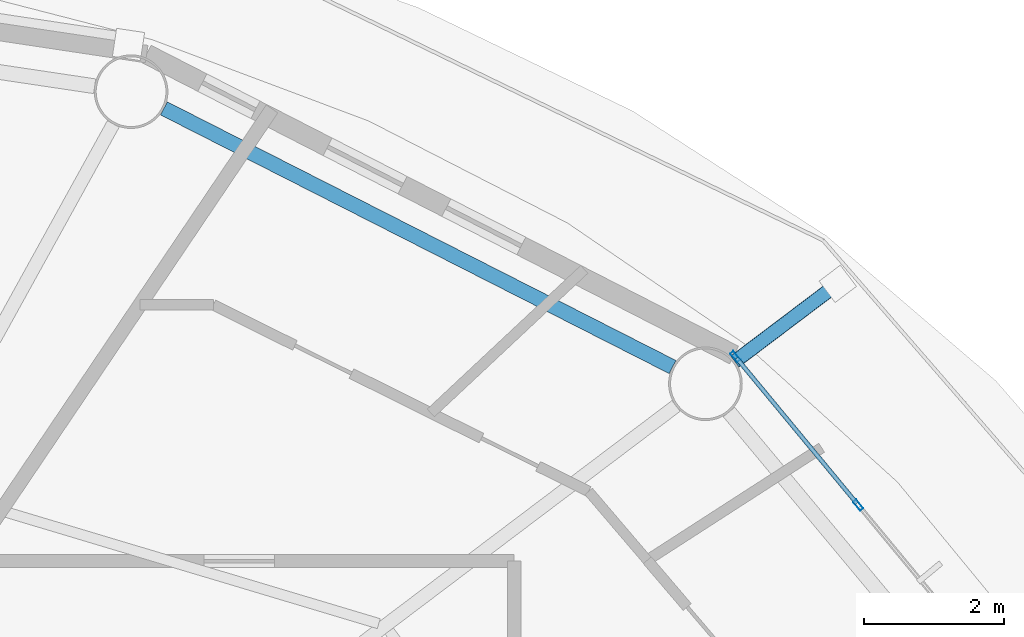
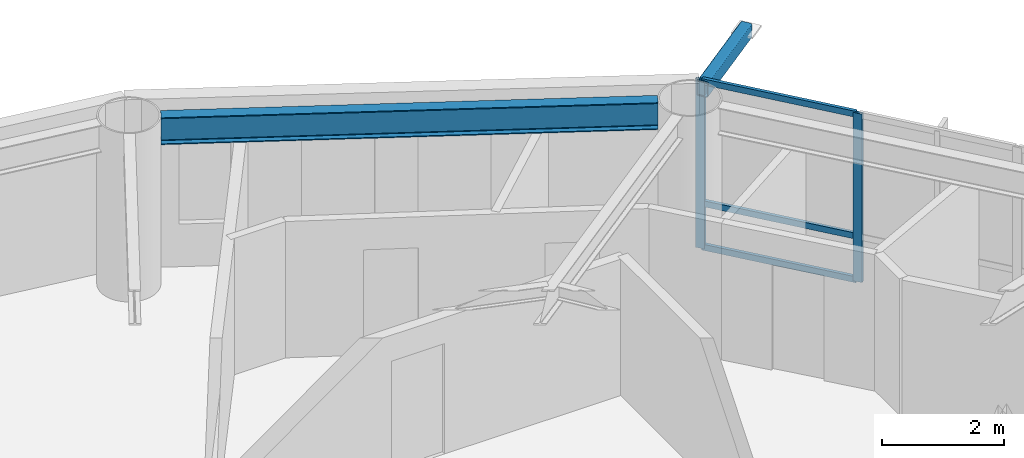
# One storey, part 11 of 23: 6 members, 1 beam, 1 element without a shape of its own.
"""IFC4 building model written with IfcOpenShell, lengths in metres."""

import ifcopenshell
import ifcopenshell.guid

model = None  # the IFC model being written
_history = None  # IfcOwnerHistory: only IFC2X3 demands one
_inside = {}  # id of a spatial element -> (the spatial element, [elements in it])
_under = {}  # id of a project, library or spatial element -> (it, [spatial elements below it])
_declared = {}  # id of a project -> (the project, [libraries it declares])
_typed = {}  # id of a type object -> (the type object, [elements of that type])
_made_of = {}  # id of a material, layer set ... -> (it, [elements and type objects made of it])


def new_model(schema):
    """Start an empty IFC model of exactly this schema.

    Asked for "IFC4X3", IfcOpenShell would pick the latest addendum, in which some entities
    have other attributes; the version numbers below select the first issue.
    IFC2X3 requires an IfcOwnerHistory on every rooted entity: one is made here for all.
    """
    global model, _history
    if schema == "IFC4X3":
        model = ifcopenshell.file(schema_version=(4, 3, 0, 0))
    else:
        model = ifcopenshell.file(schema=schema)
    _inside.clear()
    _under.clear()
    _declared.clear()
    _typed.clear()
    _made_of.clear()
    _history = None
    if model.schema == "IFC2X3":
        org = make("IfcOrganization", Name="unknown")
        user = make(
            "IfcPersonAndOrganization",
            ThePerson=make("IfcPerson", FamilyName="unknown"),
            TheOrganization=org,
        )
        app = make(
            "IfcApplication",
            ApplicationDeveloper=org,
            Version="unknown",
            ApplicationFullName="unknown",
            ApplicationIdentifier="unknown",
        )
        _history = make(
            "IfcOwnerHistory",
            OwningUser=user,
            OwningApplication=app,
            ChangeAction="ADDED",
            CreationDate=0,
        )
    return model


def make(cls, **values):
    """One entity of the class cls with the attributes given. An attribute that is None is left unset."""
    return model.create_entity(
        cls, **{name: value for name, value in values.items() if value is not None}
    )


def rooted(cls, **values):
    """An entity with a GlobalId (a new one), such as an element, a storey or a relation."""
    return make(cls, GlobalId=ifcopenshell.guid.new(), OwnerHistory=_history, **values)


def si_unit(unit_type, name, prefix=None):
    """IfcSIUnit, for example si_unit("LENGTHUNIT", "METRE", prefix="MILLI")."""
    return make("IfcSIUnit", UnitType=unit_type, Prefix=prefix, Name=name)


def assignment(units):
    """IfcUnitAssignment: the units of a project."""
    return None if units is None else make("IfcUnitAssignment", Units=units)


def point(xyz):
    """IfcCartesianPoint."""
    return None if xyz is None else make("IfcCartesianPoint", Coordinates=xyz)


def direction(xyz):
    """IfcDirection."""
    return None if xyz is None else make("IfcDirection", DirectionRatios=xyz)


def frame(location, z_axis=None, x_axis=None):
    """IfcAxis2Placement3D, a coordinate frame: its origin and axes. An axis left out is left unset."""
    return make(
        "IfcAxis2Placement3D",
        Location=point(location),
        Axis=direction(z_axis),
        RefDirection=direction(x_axis),
    )


def frame_2d(location, x_axis=None):
    """IfcAxis2Placement2D, a coordinate frame in the plane: its origin and x axis."""
    return make(
        "IfcAxis2Placement2D", Location=point(location), RefDirection=direction(x_axis)
    )


def origin():
    """The frame at (0, 0, 0) with its axes left unset."""
    return frame((0.0, 0.0, 0.0))


def origin_2d():
    """The frame at (0, 0) in the plane with its x axis left unset."""
    return frame_2d((0.0, 0.0))


def place(relative_to, where):
    """IfcLocalPlacement: puts the frame where relative to a parent placement (None: the world)."""
    return make(
        "IfcLocalPlacement", PlacementRelTo=relative_to, RelativePlacement=where
    )


def context(
    kind, dimensions, precision=None, world=None, true_north=None, identifier=None
):
    """IfcGeometricRepresentationContext, for example the 3D "Model" context."""
    return make(
        "IfcGeometricRepresentationContext",
        ContextIdentifier=identifier,
        ContextType=kind,
        CoordinateSpaceDimension=dimensions,
        Precision=precision,
        WorldCoordinateSystem=world,
        TrueNorth=true_north,
    )


def subcontext(parent, identifier, kind, view, scale=None):
    """IfcGeometricRepresentationSubContext, for example "Body" below "Model"."""
    return make(
        "IfcGeometricRepresentationSubContext",
        ContextIdentifier=identifier,
        ContextType=kind,
        ParentContext=parent,
        TargetScale=scale,
        TargetView=view,
    )


def project(units=None, contexts=None):
    """IfcProject with its units and contexts."""
    return rooted(
        "IfcProject",
        Name="project",
        RepresentationContexts=contexts,
        UnitsInContext=assignment(units),
    )


def spatial(cls, under=None, at=None, **own):
    """A site, building, storey or space (cls), placed at a placement, below another one or the project."""
    s = rooted(cls, ObjectPlacement=at, **own)
    if under is not None:
        _under.setdefault(under.id(), (under, []))[1].append(s)
    return s


def profile(cls, at=None, kind="AREA", **sizes):
    """A parametric profile (cls). Its sizes go by their IFC names, for example OverallWidth=200.0."""
    return make(cls, ProfileType=kind, Position=at, **sizes)


def hollow_rectangle(**sizes):
    """IfcRectangleHollowProfileDef."""
    return profile("IfcRectangleHollowProfileDef", **sizes)


def i_section(**sizes):
    """IfcIShapeProfileDef."""
    return profile("IfcIShapeProfileDef", **sizes)


def extrude(swept, where, along, depth):
    """IfcExtrudedAreaSolid: the profile swept, set in the frame where, extruded along a direction by depth."""
    return make(
        "IfcExtrudedAreaSolid",
        SweptArea=swept,
        Position=where,
        ExtrudedDirection=direction(along),
        Depth=depth,
    )


def shape(context_of_items, identifier, shape_type, items):
    """IfcShapeRepresentation: the items that make up one representation, for example the "Body"."""
    return make(
        "IfcShapeRepresentation",
        ContextOfItems=context_of_items,
        RepresentationIdentifier=identifier,
        RepresentationType=shape_type,
        Items=items,
    )


def material(Name=None, Category=None):
    """IfcMaterial."""
    return make("IfcMaterial", Name=Name, Category=Category)


def layer(
    of_material, thickness, ventilated=None, Name=None, Category=None, Priority=None
):
    """IfcMaterialLayer: one layer of a wall or slab, of a material (None: an air gap)."""
    return make(
        "IfcMaterialLayer",
        Material=of_material,
        LayerThickness=thickness,
        IsVentilated=ventilated,
        Name=Name,
        Category=Category,
        Priority=Priority,
    )


def layer_set(layers, Name=None):
    """IfcMaterialLayerSet."""
    return make("IfcMaterialLayerSet", MaterialLayers=layers, LayerSetName=Name)


def material_profile(
    of_material, cross_section, Name=None, Category=None, Priority=None
):
    """IfcMaterialProfile: a cross section and its material."""
    return make(
        "IfcMaterialProfile",
        Name=Name,
        Material=of_material,
        Profile=cross_section,
        Priority=Priority,
        Category=Category,
    )


def profile_set(profiles, Name=None, composite=None):
    """IfcMaterialProfileSet."""
    return make(
        "IfcMaterialProfileSet",
        Name=Name,
        MaterialProfiles=profiles,
        CompositeProfile=composite,
    )


def made_of(thing, what):
    """Note that an element or type object is made of a material, layer set ...; save() writes the relation."""
    if what is not None:
        _made_of.setdefault(what.id(), (what, []))[1].append(thing)
    return thing


def type_object(cls, material=None, **own):
    """A type object (cls), such as IfcWallType, which elements share."""
    return made_of(rooted(cls, **own), material)


def element(
    cls,
    number,
    at=None,
    inside=None,
    cuts=None,
    type_object=None,
    material=None,
    context=None,
    identifier="Body",
    shape_type=None,
    held_by="IfcProductDefinitionShape",
    body=None,
    shapes=None,
    **own,
):
    """One element of the class cls, such as IfcWall. Its Tag is "e" and its number.

    at: its placement. inside: the storey or other place that contains it. cuts: it is an
    opening in that element (IfcRelVoidsElement). A single representation is given by context,
    identifier, shape_type and body (its items); several are given by shapes. held_by: the class
    of the entity that holds the representations. save() writes the other relations.
    """
    e = rooted(cls, Tag="e%d" % number, ObjectPlacement=at, **own)
    if body is not None:
        shapes = [shape(context, identifier, shape_type, body)]
    if shapes is not None:
        e.Representation = make(held_by, Representations=shapes)
    if inside is not None:
        _inside.setdefault(inside.id(), (inside, []))[1].append(e)
    if cuts is not None:
        rooted(
            "IfcRelVoidsElement", RelatingBuildingElement=cuts, RelatedOpeningElement=e
        )
    if type_object is not None:
        _typed.setdefault(type_object.id(), (type_object, []))[1].append(e)
    return made_of(e, material)


def aggregate(whole, parts):
    """IfcRelAggregates: a whole, such as a stair, and the parts it consists of."""
    return rooted("IfcRelAggregates", RelatingObject=whole, RelatedObjects=parts)


def save(model, path):
    """Write the relations noted so far, then the file.

    IfcRelAggregates (storeys below a building ...), IfcRelContainedInSpatialStructure (elements
    in a storey), IfcRelDefinesByType, IfcRelAssociatesMaterial and IfcRelDeclares: one each for
    every whole, place, type object, material and project.
    """
    for whole, parts in _under.values():
        aggregate(whole, parts)
    for where, things in _inside.values():
        rooted(
            "IfcRelContainedInSpatialStructure",
            RelatedElements=things,
            RelatingStructure=where,
        )
    for kind, things in _typed.values():
        rooted("IfcRelDefinesByType", RelatedObjects=things, RelatingType=kind)
    for what, things in _made_of.values():
        rooted("IfcRelAssociatesMaterial", RelatedObjects=things, RelatingMaterial=what)
    for by, libraries in _declared.values():
        rooted("IfcRelDeclares", RelatingContext=by, RelatedDefinitions=libraries)
    model.write(path)


model = new_model("IFC4")

# Units and contexts
model_context = context("Model", 3, precision=1e-05, world=origin(), true_north=direction((0.0, 1.0)))
body_context = subcontext(model_context, "Body", "Model", "MODEL_VIEW")
ifc_project = project(units=[si_unit("LENGTHUNIT", "METRE"), si_unit("AREAUNIT", "SQUARE_METRE"), si_unit("VOLUMEUNIT", "CUBIC_METRE"), si_unit("PLANEANGLEUNIT", "RADIAN"), si_unit("MASSUNIT", "GRAM", prefix="KILO")], contexts=[model_context])

# Site, building, storey
site_placement = place(None, origin())
site = spatial("IfcSite", under=ifc_project, at=site_placement, CompositionType="ELEMENT")
building_placement = place(site_placement, origin())
building = spatial("IfcBuilding", under=site, at=building_placement, Name="Sarneth Arch Tower", CompositionType="ELEMENT")
storey_placement = place(building_placement, frame((0.0, 0.0, 235.199951171875)))
storey = spatial("IfcBuildingStorey", under=building, at=storey_placement, Name="L60", CompositionType="ELEMENT", Elevation=235.199951171875)

# Beam
ifc_material_1 = material(Name="Steel S355", Category="steel")
ifc_material_profile_1 = material_profile(ifc_material_1, i_section(OverallWidth=0.2109375, OverallDepth=0.5390625, WebThickness=0.01171875, FlangeThickness=0.018798828125, FilletRadius=0.01806640625, at=origin_2d()), Name="W530x109")
ifc_profile_set_1 = profile_set([ifc_material_profile_1], Name="Steel S355")
beam_type = type_object("IfcBeamType", Name="BM-RAD-530B", PredefinedType="BEAM", material=ifc_profile_set_1)
beam_placement = place(storey_placement, frame((65.50732421875, 55.814453125, 3.090576171875), z_axis=(-0.891368271482, 0.453279830342, 0.0), x_axis=(-0.453279830342, -0.891368271482, 0.0)))
element("IfcBeam", 1, at=beam_placement, inside=storey, type_object=beam_type, Name="L60 Perimeter spandrel beam 03", PredefinedType="BEAM", context=body_context, shape_type="SweptSolid", body=[
    extrude(i_section(OverallWidth=0.2109375, OverallDepth=0.5390625, WebThickness=0.01171875, FlangeThickness=0.018798828125, FilletRadius=0.01806640625, at=origin_2d()), origin(), (0.0, 0.0, 1.0), 8.1318359375),
])

# Curtain wall, members
ifc_material_2 = material(Name="Anodised aluminium Type AA25 and solar-control low-e laminated IGU", Category="aluminium")
ifc_layer = layer(ifc_material_2, 0.179931640625)
ifc_layer_set = layer_set([ifc_layer], Name="Anodised aluminium Type AA25 and solar-control low-e laminated IGU")
curtain_wall_type = type_object("IfcCurtainWallType", Name="CW-RES-HIGH", PredefinedType="NOTDEFINED", material=ifc_layer_set)
curtain_wall_placement = place(storey_placement, origin())
curtain_wall = element("IfcCurtainWall", 2, at=curtain_wall_placement, inside=storey, type_object=curtain_wall_type, Name="L60 Unitised curtain wall facet 02", PredefinedType="NOTDEFINED")
ifc_material_3 = material(Name="Anodised Aluminium 6063-T6", Category="aluminium")
ifc_material_profile_2 = material_profile(ifc_material_3, hollow_rectangle(XDim=0.06005859375, YDim=0.159912109375, WallThickness=0.00390625, at=origin_2d()), Name="AL-MULL-160x60x4")
ifc_profile_set_2 = profile_set([ifc_material_profile_2], Name="Anodised Aluminium 6063-T6")
member_type_1 = type_object("IfcMemberType", Name="CW-MULLION", PredefinedType="MULLION", material=ifc_profile_set_2)
member_1_placement = place(storey_placement, frame((68.15283203125, 53.84765625, 0.0), z_axis=(0.0, 0.0, 1.0), x_axis=(-0.770359245933, -0.637610094184, 0.0)))
member_1 = element("IfcMember", 3, at=member_1_placement, type_object=member_type_1, Name="CW-SYS-6 mullion 3", PredefinedType="MULLION", context=body_context, shape_type="SweptSolid", body=[
    extrude(hollow_rectangle(XDim=0.06005859375, YDim=0.159912109375, WallThickness=0.00390625, at=origin_2d()), origin(), (0.0, 0.0, 1.0), 3.360107421875),
])
member_2_placement = place(storey_placement, frame((66.401611328125, 55.96337890625, 0.0), z_axis=(0.0, 0.0, 1.0), x_axis=(-0.770359245933, -0.637610094184, 0.0)))
member_2 = element("IfcMember", 4, at=member_2_placement, type_object=member_type_1, Name="CW-SYS-6 mullion 4", PredefinedType="MULLION", context=body_context, shape_type="SweptSolid", body=[
    extrude(hollow_rectangle(XDim=0.06005859375, YDim=0.159912109375, WallThickness=0.00390625, at=origin_2d()), origin(), (0.0, 0.0, 1.0), 3.360107421875),
])
ifc_material_4 = material(Name="Anodised Aluminium 6063-T6", Category="aluminium")
ifc_material_profile_3 = material_profile(ifc_material_4, hollow_rectangle(XDim=0.06005859375, YDim=0.1201171875, WallThickness=0.00390625, at=origin_2d()), Name="AL-TRAN-120x60x4")
ifc_profile_set_3 = profile_set([ifc_material_profile_3], Name="Anodised Aluminium 6063-T6")
member_type_2 = type_object("IfcMemberType", Name="CW-TRANSOM", PredefinedType="USERDEFINED", material=ifc_profile_set_3)
member_3_placement = place(storey_placement, frame((68.1337890625, 53.87060546875, 0.030029296875), z_axis=(-0.637606765719, 0.770362000821, 0.0), x_axis=(-0.770362000821, -0.637606765719, 0.0)))
member_3 = element("IfcMember", 5, at=member_3_placement, type_object=member_type_2, Name="CW-SYS-6 transom 3.1", ObjectType="TRANSOM", PredefinedType="USERDEFINED", context=body_context, shape_type="SweptSolid", body=[
    extrude(hollow_rectangle(XDim=0.06005859375, YDim=0.1201171875, WallThickness=0.00390625, at=origin_2d()), origin(), (0.0, 0.0, 1.0), 2.686767578125),
])
member_4_placement = place(storey_placement, frame((68.1337890625, 53.87060546875, 0.900146484375), z_axis=(-0.637606765719, 0.770362000821, 0.0), x_axis=(-0.770362000821, -0.637606765719, 0.0)))
member_4 = element("IfcMember", 6, at=member_4_placement, type_object=member_type_2, Name="CW-SYS-6 transom 3.2", ObjectType="TRANSOM", PredefinedType="USERDEFINED", context=body_context, shape_type="SweptSolid", body=[
    extrude(hollow_rectangle(XDim=0.06005859375, YDim=0.1201171875, WallThickness=0.00390625, at=origin_2d()), origin(), (0.0, 0.0, 1.0), 2.686767578125),
])
member_5_placement = place(storey_placement, frame((68.1337890625, 53.87060546875, 3.330078125), z_axis=(-0.637606765719, 0.770362000821, 0.0), x_axis=(-0.770362000821, -0.637606765719, 0.0)))
member_5 = element("IfcMember", 7, at=member_5_placement, type_object=member_type_2, Name="CW-SYS-6 transom 3.3", ObjectType="TRANSOM", PredefinedType="USERDEFINED", context=body_context, shape_type="SweptSolid", body=[
    extrude(hollow_rectangle(XDim=0.06005859375, YDim=0.1201171875, WallThickness=0.00390625, at=origin_2d()), origin(), (0.0, 0.0, 1.0), 2.686767578125),
])
aggregate(curtain_wall, [member_1, member_2, member_3, member_4, member_5])

# Member
ifc_material_5 = material(Name="Steel S355", Category="steel")
ifc_material_profile_4 = material_profile(ifc_material_5, hollow_rectangle(XDim=0.199951171875, YDim=0.300048828125, WallThickness=0.012451171875, InnerFilletRadius=0.018798828125, OuterFilletRadius=0.03125, at=origin_2d()), Name="RHS300x200x12.5")
ifc_profile_set_4 = profile_set([ifc_material_profile_4], Name="Steel S355")
member_type_3 = type_object("IfcMemberType", Name="MEM-CANT-STRUT", PredefinedType="STRUT", material=ifc_profile_set_4)
member_6_placement = place(storey_placement, frame((66.39404296875, 55.892822265625, 3.199951171875), z_axis=(0.798003570042, 0.60265272106, 0.0), x_axis=(-0.60265272106, 0.798003570042, 0.0)))
element("IfcMember", 8, at=member_6_placement, inside=storey, type_object=member_type_3, Name="L60 Balcony cantilever bracket 03", PredefinedType="STRUT", context=body_context, shape_type="SweptSolid", body=[
    extrude(hollow_rectangle(XDim=0.199951171875, YDim=0.300048828125, WallThickness=0.012451171875, InnerFilletRadius=0.018798828125, OuterFilletRadius=0.03125, at=origin_2d()), origin(), (0.0, 0.0, 1.0), 1.83837890625),
])

save(model, "model.ifc")
